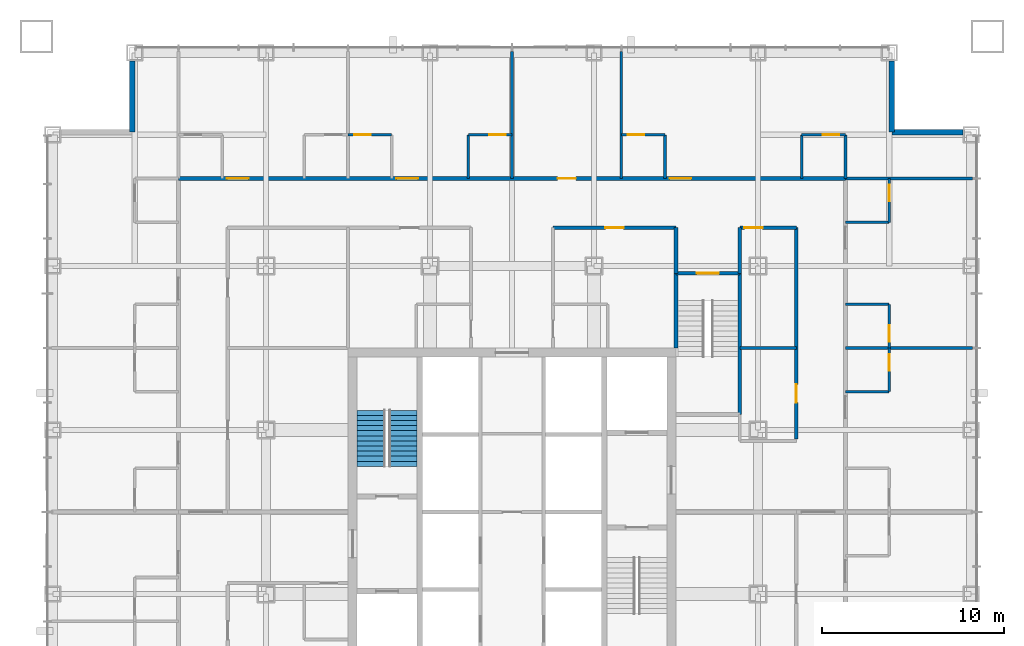
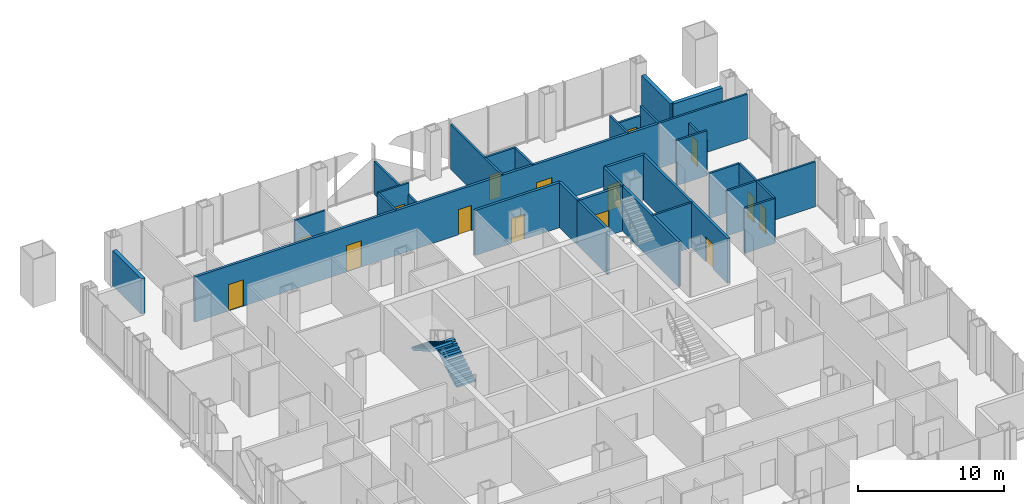
# One storey, part 11 of 13: 31 walls, 15 doors, 2 stair flights, 15 openings, 1 element without a shape of its own.
"""IFC4 building model written with IfcOpenShell, lengths in metres."""

from ifc_helpers import new_model, si_unit, direction, frame, frame_2d, origin, place, context, subcontext, project, spatial, polyline, rectangle, outline, extrude, material, layer, layer_set, type_object, element, fill, aggregate, save


model = new_model("IFC4")

# Units and contexts
model_context = context("Model", 3, precision=1e-05, world=origin(), true_north=direction((0.0, 1.0)))
body_context = subcontext(model_context, "Body", "Model", "MODEL_VIEW")
ifc_project = project(units=[si_unit("LENGTHUNIT", "METRE"), si_unit("AREAUNIT", "SQUARE_METRE"), si_unit("VOLUMEUNIT", "CUBIC_METRE"), si_unit("PLANEANGLEUNIT", "RADIAN"), si_unit("MASSUNIT", "GRAM", prefix="KILO")], contexts=[model_context])

# Site, building, storey
site_placement = place(None, origin())
site = spatial("IfcSite", under=ifc_project, at=site_placement, CompositionType="ELEMENT")
building_placement = place(site_placement, origin())
building = spatial("IfcBuilding", under=site, at=building_placement, Name="Malebo Sky Hospital", CompositionType="ELEMENT")
storey_placement = place(building_placement, frame((0.0, 0.0, 43.0)))
storey = spatial("IfcBuildingStorey", under=building, at=storey_placement, Name="L09", CompositionType="ELEMENT", Elevation=43.0)

# Wall, openings, doors
ifc_material_1 = material(Name="Gypsum board on steel studs", Category="steel")
ifc_layer_1 = layer(ifc_material_1, 0.199951171875)
ifc_layer_set_1 = layer_set([ifc_layer_1], Name="CORRIDOR WALL 200")
wall_type_1 = type_object("IfcWallType", Name="CORRIDOR WALL 200", PredefinedType="PARTITIONING", material=ifc_layer_set_1)
wall_1_placement = place(storey_placement, frame((41.699951171875, 80.300048828125, 0.0), z_axis=(0.0, 0.0, 1.0), x_axis=(1.0, 0.0, 0.0)))
wall_1 = element("IfcWall", 1, at=wall_1_placement, inside=storey, type_object=wall_type_1, Name="Corridor Wall 200 NCO", PredefinedType="PARTITIONING", context=body_context, shape_type="SweptSolid", body=[
    extrude(rectangle(XDim=36.60009765625, YDim=0.199951171875, at=frame_2d((18.300048828125, 0.0))), origin(), (0.0, 0.0, 1.0), 3.75),
])
opening_1_placement = place(wall_1_placement, frame((2.64990234375, 0.0, 0.0)))
opening_1 = element("IfcOpeningElement", 2, at=opening_1_placement, cuts=wall_1, Name="Opening D01", PredefinedType="OPENING", context=body_context, shape_type="SweptSolid", body=[
    extrude(rectangle(XDim=1.199951171875, YDim=2.199951171875, at=frame_2d((0.60009765625, 1.10009765625))), frame((0.0, 0.10986328125, 0.0), z_axis=(0.0, -1.0, 0.0), x_axis=(1.0, 0.0, 0.0)), (0.0, 0.0, 1.0), 0.219970703125),
])
opening_2_placement = place(wall_1_placement, frame((11.949951171875, 0.0, 0.0)))
opening_2 = element("IfcOpeningElement", 3, at=opening_2_placement, cuts=wall_1, Name="Opening D01", PredefinedType="OPENING", context=body_context, shape_type="SweptSolid", body=[
    extrude(rectangle(XDim=1.199951171875, YDim=2.199951171875, at=frame_2d((0.60009765625, 1.10009765625))), frame((0.0, 0.10986328125, 0.0), z_axis=(0.0, -1.0, 0.0), x_axis=(1.0, 0.0, 0.0)), (0.0, 0.0, 1.0), 0.219970703125),
])
opening_3_placement = place(wall_1_placement, frame((20.800048828125, 0.0, 0.0)))
opening_3 = element("IfcOpeningElement", 4, at=opening_3_placement, cuts=wall_1, Name="Opening D03", PredefinedType="OPENING", context=body_context, shape_type="SweptSolid", body=[
    extrude(rectangle(XDim=1.0, YDim=2.10009765625, at=frame_2d((0.5, 1.050048828125))), frame((0.0, 0.10986328125, 0.0), z_axis=(0.0, -1.0, 0.0), x_axis=(1.0, 0.0, 0.0)), (0.0, 0.0, 1.0), 0.219970703125),
])
opening_4_placement = place(wall_1_placement, frame((26.949951171875, 0.0, 0.0)))
opening_4 = element("IfcOpeningElement", 5, at=opening_4_placement, cuts=wall_1, Name="Opening D01", PredefinedType="OPENING", context=body_context, shape_type="SweptSolid", body=[
    extrude(rectangle(XDim=1.199951171875, YDim=2.199951171875, at=frame_2d((0.60009765625, 1.10009765625))), frame((0.0, 0.10986328125, 0.0), z_axis=(0.0, -1.0, 0.0), x_axis=(1.0, 0.0, 0.0)), (0.0, 0.0, 1.0), 0.219970703125),
])
ifc_material_2 = material(Name="Hardwood-faced door leaf in steel frame", Category="steel")
door_type_1 = type_object("IfcDoorType", Name="BED DOOR 1200", OperationType="SINGLE_SWING_LEFT", PredefinedType="DOOR", material=ifc_material_2)
door_1_placement = place(opening_1_placement, origin())
door_1 = element("IfcDoor", 6, at=door_1_placement, inside=storey, type_object=door_type_1, Name="Four-bed bay door", OperationType="SINGLE_SWING_LEFT", OverallHeight=2.199951171875, OverallWidth=1.199951171875, PredefinedType="DOOR", context=body_context, shape_type="SweptSolid", body=[
    extrude(rectangle(XDim=1.199951171875, YDim=2.199951171875, at=frame_2d((0.60009765625, 1.10009765625))), frame((0.0, 0.02490234375, 0.0), z_axis=(0.0, -1.0, 0.0), x_axis=(1.0, 0.0, 0.0)), (0.0, 0.0, 1.0), 0.050048828125),
])
fill(opening_1, door_1)
door_2_placement = place(opening_2_placement, origin())
door_2 = element("IfcDoor", 7, at=door_2_placement, inside=storey, type_object=door_type_1, Name="Four-bed bay door", OperationType="SINGLE_SWING_LEFT", OverallHeight=2.199951171875, OverallWidth=1.199951171875, PredefinedType="DOOR", context=body_context, shape_type="SweptSolid", body=[
    extrude(rectangle(XDim=1.199951171875, YDim=2.199951171875, at=frame_2d((0.60009765625, 1.10009765625))), frame((0.0, 0.02490234375, 0.0), z_axis=(0.0, -1.0, 0.0), x_axis=(1.0, 0.0, 0.0)), (0.0, 0.0, 1.0), 0.050048828125),
])
fill(opening_2, door_2)
door_3_placement = place(opening_4_placement, origin())
door_3 = element("IfcDoor", 8, at=door_3_placement, inside=storey, type_object=door_type_1, Name="Four-bed bay door", OperationType="SINGLE_SWING_LEFT", OverallHeight=2.199951171875, OverallWidth=1.199951171875, PredefinedType="DOOR", context=body_context, shape_type="SweptSolid", body=[
    extrude(rectangle(XDim=1.199951171875, YDim=2.199951171875, at=frame_2d((0.60009765625, 1.10009765625))), frame((0.0, 0.02490234375, 0.0), z_axis=(0.0, -1.0, 0.0), x_axis=(1.0, 0.0, 0.0)), (0.0, 0.0, 1.0), 0.050048828125),
])
fill(opening_4, door_3)
door_type_2 = type_object("IfcDoorType", Name="ROOM DOOR 1000", OperationType="SINGLE_SWING_LEFT", PredefinedType="DOOR", material=ifc_material_2)
door_4_placement = place(opening_3_placement, origin())
door_4 = element("IfcDoor", 9, at=door_4_placement, inside=storey, type_object=door_type_2, Name="Patient day room door", OperationType="SINGLE_SWING_LEFT", OverallHeight=2.10009765625, OverallWidth=1.0, PredefinedType="DOOR", context=body_context, shape_type="SweptSolid", body=[
    extrude(rectangle(XDim=1.0, YDim=2.10009765625, at=frame_2d((0.5, 1.050048828125))), frame((0.0, 0.02490234375, 0.0), z_axis=(0.0, -1.0, 0.0), x_axis=(1.0, 0.0, 0.0)), (0.0, 0.0, 1.0), 0.050048828125),
])
fill(opening_3, door_4)

# Wall, opening, door
wall_2_placement = place(storey_placement, frame((62.25, 77.60009765625, 0.0), z_axis=(0.0, 0.0, 1.0), x_axis=(1.0, 0.0, 0.0)))
wall_2 = element("IfcWall", 10, at=wall_2_placement, inside=storey, type_object=wall_type_1, Name="Corridor Wall 200 NCI2", PredefinedType="PARTITIONING", context=body_context, shape_type="SweptSolid", body=[
    extrude(rectangle(XDim=6.75, YDim=0.199951171875, at=frame_2d((3.375, 0.0))), origin(), (0.0, 0.0, 1.0), 3.75),
])
opening_5_placement = place(wall_2_placement, frame((2.875, 0.0, 0.0)))
opening_5 = element("IfcOpeningElement", 11, at=opening_5_placement, cuts=wall_2, Name="Opening D03", PredefinedType="OPENING", context=body_context, shape_type="SweptSolid", body=[
    extrude(rectangle(XDim=1.0, YDim=2.10009765625, at=frame_2d((0.5, 1.050048828125))), frame((0.0, 0.10986328125, 0.0), z_axis=(0.0, -1.0, 0.0), x_axis=(1.0, 0.0, 0.0)), (0.0, 0.0, 1.0), 0.219970703125),
])
door_5_placement = place(opening_5_placement, origin())
door_5 = element("IfcDoor", 12, at=door_5_placement, inside=storey, type_object=door_type_2, Name="Equipment store door", OperationType="SINGLE_SWING_RIGHT", OverallHeight=2.10009765625, OverallWidth=1.0, PredefinedType="DOOR", context=body_context, shape_type="SweptSolid", body=[
    extrude(rectangle(XDim=1.0, YDim=2.10009765625, at=frame_2d((0.5, 1.050048828125))), frame((0.0, 0.02490234375, 0.0), z_axis=(0.0, -1.0, 0.0), x_axis=(1.0, 0.0, 0.0)), (0.0, 0.0, 1.0), 0.050048828125),
])
fill(opening_5, door_5)

wall_3_placement = place(storey_placement, frame((72.5, 77.60009765625, 0.0), z_axis=(0.0, 0.0, 1.0), x_axis=(1.0, 0.0, 0.0)))
wall_3 = element("IfcWall", 13, at=wall_3_placement, inside=storey, type_object=wall_type_1, Name="Corridor Wall 200 NCI2/2", PredefinedType="PARTITIONING", context=body_context, shape_type="SweptSolid", body=[
    extrude(rectangle(XDim=3.10009765625, YDim=0.199951171875, at=frame_2d((1.550048828125, 0.0))), origin(), (0.0, 0.0, 1.0), 3.75),
])
opening_6_placement = place(wall_3_placement, frame((0.25, 0.0, 0.0)))
opening_6 = element("IfcOpeningElement", 14, at=opening_6_placement, cuts=wall_3, Name="Opening D03", PredefinedType="OPENING", context=body_context, shape_type="SweptSolid", body=[
    extrude(rectangle(XDim=1.0, YDim=2.10009765625, at=frame_2d((0.5, 1.050048828125))), frame((0.0, 0.10986328125, 0.0), z_axis=(0.0, -1.0, 0.0), x_axis=(1.0, 0.0, 0.0)), (0.0, 0.0, 1.0), 0.219970703125),
])
door_6_placement = place(opening_6_placement, origin())
door_6 = element("IfcDoor", 15, at=door_6_placement, inside=storey, type_object=door_type_2, Name="Interview room door", OperationType="SINGLE_SWING_LEFT", OverallHeight=2.10009765625, OverallWidth=1.0, PredefinedType="DOOR", context=body_context, shape_type="SweptSolid", body=[
    extrude(rectangle(XDim=1.0, YDim=2.10009765625, at=frame_2d((0.5, 1.050048828125))), frame((0.0, 0.02490234375, 0.0), z_axis=(0.0, -1.0, 0.0), x_axis=(1.0, 0.0, 0.0)), (0.0, 0.0, 1.0), 0.050048828125),
])
fill(opening_6, door_6)

wall_4_placement = place(storey_placement, frame((75.60009765625, 77.60009765625, 0.0), z_axis=(0.0, 0.0, 1.0), x_axis=(0.0, -1.0, 0.0)))
wall_4 = element("IfcWall", 16, at=wall_4_placement, inside=storey, type_object=wall_type_1, Name="Corridor Wall 200 ECI1", PredefinedType="PARTITIONING", context=body_context, shape_type="SweptSolid", body=[
    extrude(rectangle(XDim=11.60009765625, YDim=0.199951171875, at=frame_2d((5.800048828125, 0.0))), origin(), (0.0, 0.0, 1.0), 3.75),
])
opening_7_placement = place(wall_4_placement, frame((8.60009765625, 0.0, 0.0)))
opening_7 = element("IfcOpeningElement", 17, at=opening_7_placement, cuts=wall_4, Name="Opening D03", PredefinedType="OPENING", context=body_context, shape_type="SweptSolid", body=[
    extrude(rectangle(XDim=1.0, YDim=2.10009765625, at=frame_2d((0.5, 1.050048828125))), frame((0.0, 0.10986328125, 0.0), z_axis=(0.0, -1.0, 0.0), x_axis=(1.0, 0.0, 0.0)), (0.0, 0.0, 1.0), 0.219970703125),
])
door_7_placement = place(opening_7_placement, origin())
door_7 = element("IfcDoor", 18, at=door_7_placement, inside=storey, type_object=door_type_2, Name="Medication room door", OperationType="SINGLE_SWING_LEFT", OverallHeight=2.10009765625, OverallWidth=1.0, PredefinedType="DOOR", context=body_context, shape_type="SweptSolid", body=[
    extrude(rectangle(XDim=1.0, YDim=2.10009765625, at=frame_2d((0.5, 1.050048828125))), frame((0.0, 0.02490234375, 0.0), z_axis=(0.0, -1.0, 0.0), x_axis=(1.0, 0.0, 0.0)), (0.0, 0.0, 1.0), 0.050048828125),
])
fill(opening_7, door_7)

# Walls
for number, where, z_axis, x_axis, name in (
    (19, (69.0, 75.10009765625, 0.0), (0.0, 0.0, 1.0), (0.0, 1.0, 0.0), "Corridor Wall 200 ST3AW"),
    (20, (72.5, 75.10009765625, 0.0), (0.0, 0.0, 1.0), (0.0, 1.0, 0.0), "Corridor Wall 200 ST3AE"),
):
    element("IfcWall", number, at=place(storey_placement, frame(where, z_axis=z_axis, x_axis=x_axis)), inside=storey, type_object=wall_type_1, Name=name, PredefinedType="PARTITIONING", context=body_context, shape_type="SweptSolid", body=[
        extrude(rectangle(XDim=2.5, YDim=0.199951171875, at=frame_2d((1.25, 0.0))), origin(), (0.0, 0.0, 1.0), 3.75),
    ])
ifc_material_3 = material(Name="Anodised aluminium rainscreen on steel framing", Category="steel")
ifc_layer_2 = layer(ifc_material_3, 0.300048828125)
ifc_layer_set_2 = layer_set([ifc_layer_2], Name="NOTCH RAINSCREEN WALL 300")
wall_type_2 = type_object("IfcWallType", Name="NOTCH RAINSCREEN WALL 300", PredefinedType="ELEMENTEDWALL", material=ifc_layer_set_2)
for number, where, z_axis, x_axis, name in (
    (21, (80.85009765625, 86.75, 0.0), (0.0, 0.0, 1.0), (0.0, -1.0, 0.0), "Notch rainscreen wall N1 L09"),
    (22, (80.85009765625, 82.85009765625, 0.0), (0.0, 0.0, 1.0), (1.0, 0.0, 0.0), "Notch rainscreen wall N2 L09"),
    (23, (39.14990234375, 82.85009765625, 0.0), (0.0, 0.0, 1.0), (0.0, 1.0, 0.0), "Notch rainscreen wall W2 L09"),
):
    element("IfcWall", number, at=place(storey_placement, frame(where, z_axis=z_axis, x_axis=x_axis)), inside=storey, type_object=wall_type_2, Name=name, PredefinedType="ELEMENTEDWALL", context=body_context, shape_type="SweptSolid", body=[
        extrude(rectangle(XDim=3.89990234375, YDim=0.300048828125, at=frame_2d((1.949951171875, 0.0))), origin(), (0.0, 0.0, 1.0), 2.949951171875),
    ])
ifc_layer_3 = layer(ifc_material_1, 0.14990234375)
ifc_layer_set_3 = layer_set([ifc_layer_3], Name="PARTITION 150")
wall_type_3 = type_object("IfcWallType", Name="PARTITION 150", PredefinedType="PARTITIONING", material=ifc_layer_set_3)
wall_5_placement = place(storey_placement, frame((60.0, 80.300048828125, 0.0), z_axis=(0.0, 0.0, 1.0), x_axis=(0.0, 1.0, 0.0)))
element("IfcWall", 24, at=wall_5_placement, inside=storey, type_object=wall_type_3, Name="Partition 150 NP+0.0", PredefinedType="PARTITIONING", context=body_context, shape_type="SweptSolid", body=[
    extrude(rectangle(XDim=6.974853515625, YDim=0.14990234375, at=frame_2d((3.4873046875, 0.0))), origin(), (0.0, 0.0, 1.0), 2.75),
])
wall_6_placement = place(storey_placement, frame((66.0, 80.300048828125, 0.0), z_axis=(0.0, 0.0, 1.0), x_axis=(0.0, 1.0, 0.0)))
element("IfcWall", 25, at=wall_6_placement, inside=storey, type_object=wall_type_3, Name="Partition 150 NP+6.0", PredefinedType="PARTITIONING", context=body_context, shape_type="SweptSolid", body=[
    extrude(rectangle(XDim=6.974853515625, YDim=0.14990234375, at=frame_2d((3.4873046875, 0.0))), origin(), (0.0, 0.0, 1.0), 3.75),
])

# Wall, opening, door
wall_7_placement = place(storey_placement, frame((51.0, 82.699951171875, 0.0), z_axis=(0.0, 0.0, 1.0), x_axis=(1.0, 0.0, 0.0)))
wall_7 = element("IfcWall", 26, at=wall_7_placement, inside=storey, type_object=wall_type_3, Name="Partition 150 NE1F", PredefinedType="PARTITIONING", context=body_context, shape_type="SweptSolid", body=[
    extrude(rectangle(XDim=2.39990234375, YDim=0.14990234375, at=frame_2d((1.199951171875, 0.0))), origin(), (0.0, 0.0, 1.0), 3.75),
])
opening_8_placement = place(wall_7_placement, frame((0.35009765625, 0.0, 0.0)))
opening_8 = element("IfcOpeningElement", 27, at=opening_8_placement, cuts=wall_7, Name="Opening D02", PredefinedType="OPENING", context=body_context, shape_type="SweptSolid", body=[
    extrude(rectangle(XDim=0.89990234375, YDim=2.10009765625, at=frame_2d((0.449951171875, 1.050048828125))), frame((0.0, 0.0849609375, 0.0), z_axis=(0.0, -1.0, 0.0), x_axis=(1.0, 0.0, 0.0)), (0.0, 0.0, 1.0), 0.169921875),
])
door_type_3 = type_object("IfcDoorType", Name="EN-SUITE DOOR 900", OperationType="SINGLE_SWING_LEFT", PredefinedType="DOOR", material=ifc_material_2)
door_8_placement = place(opening_8_placement, origin())
door_8 = element("IfcDoor", 28, at=door_8_placement, inside=storey, type_object=door_type_3, Name="En-suite door", OperationType="SINGLE_SWING_LEFT", OverallHeight=2.10009765625, OverallWidth=0.89990234375, PredefinedType="DOOR", context=body_context, shape_type="SweptSolid", body=[
    extrude(rectangle(XDim=0.89990234375, YDim=2.10009765625, at=frame_2d((0.449951171875, 1.050048828125))), frame((0.0, 0.02490234375, 0.0), z_axis=(0.0, -1.0, 0.0), x_axis=(1.0, 0.0, 0.0)), (0.0, 0.0, 1.0), 0.050048828125),
])
fill(opening_8, door_8)

wall_8_placement = place(storey_placement, frame((57.60009765625, 82.699951171875, 0.0), z_axis=(0.0, 0.0, 1.0), x_axis=(1.0, 0.0, 0.0)))
wall_8 = element("IfcWall", 29, at=wall_8_placement, inside=storey, type_object=wall_type_3, Name="Partition 150 NG1F", PredefinedType="PARTITIONING", context=body_context, shape_type="SweptSolid", body=[
    extrude(rectangle(XDim=2.39990234375, YDim=0.14990234375, at=frame_2d((1.199951171875, 0.0))), origin(), (0.0, 0.0, 1.0), 3.75),
])
opening_9_placement = place(wall_8_placement, frame((1.14990234375, 0.0, 0.0)))
opening_9 = element("IfcOpeningElement", 30, at=opening_9_placement, cuts=wall_8, Name="Opening D02", PredefinedType="OPENING", context=body_context, shape_type="SweptSolid", body=[
    extrude(rectangle(XDim=0.89990234375, YDim=2.10009765625, at=frame_2d((0.449951171875, 1.050048828125))), frame((0.0, 0.0849609375, 0.0), z_axis=(0.0, -1.0, 0.0), x_axis=(1.0, 0.0, 0.0)), (0.0, 0.0, 1.0), 0.169921875),
])
door_9_placement = place(opening_9_placement, origin())
door_9 = element("IfcDoor", 31, at=door_9_placement, inside=storey, type_object=door_type_3, Name="En-suite door", OperationType="SINGLE_SWING_RIGHT", OverallHeight=2.10009765625, OverallWidth=0.89990234375, PredefinedType="DOOR", context=body_context, shape_type="SweptSolid", body=[
    extrude(rectangle(XDim=0.89990234375, YDim=2.10009765625, at=frame_2d((0.449951171875, 1.050048828125))), frame((0.0, 0.02490234375, 0.0), z_axis=(0.0, -1.0, 0.0), x_axis=(1.0, 0.0, 0.0)), (0.0, 0.0, 1.0), 0.050048828125),
])
fill(opening_9, door_9)

# Wall
wall_9_placement = place(storey_placement, frame((57.60009765625, 80.300048828125, 0.0), z_axis=(0.0, 0.0, 1.0), x_axis=(0.0, 1.0, 0.0)))
element("IfcWall", 32, at=wall_9_placement, inside=storey, type_object=wall_type_3, Name="Partition 150 NG1S", PredefinedType="PARTITIONING", context=body_context, shape_type="SweptSolid", body=[
    extrude(rectangle(XDim=2.39990234375, YDim=0.14990234375, at=frame_2d((1.199951171875, 0.0))), origin(), (0.0, 0.0, 1.0), 3.75),
])

# Wall, opening, door
wall_10_placement = place(storey_placement, frame((66.0, 82.699951171875, 0.0), z_axis=(0.0, 0.0, 1.0), x_axis=(1.0, 0.0, 0.0)))
wall_10 = element("IfcWall", 33, at=wall_10_placement, inside=storey, type_object=wall_type_3, Name="Partition 150 NE3F", PredefinedType="PARTITIONING", context=body_context, shape_type="SweptSolid", body=[
    extrude(rectangle(XDim=2.39990234375, YDim=0.14990234375, at=frame_2d((1.199951171875, 0.0))), origin(), (0.0, 0.0, 1.0), 3.75),
])
opening_10_placement = place(wall_10_placement, frame((0.35009765625, 0.0, 0.0)))
opening_10 = element("IfcOpeningElement", 34, at=opening_10_placement, cuts=wall_10, Name="Opening D02", PredefinedType="OPENING", context=body_context, shape_type="SweptSolid", body=[
    extrude(rectangle(XDim=0.89990234375, YDim=2.10009765625, at=frame_2d((0.449951171875, 1.050048828125))), frame((0.0, 0.0849609375, 0.0), z_axis=(0.0, -1.0, 0.0), x_axis=(1.0, 0.0, 0.0)), (0.0, 0.0, 1.0), 0.169921875),
])
door_10_placement = place(opening_10_placement, origin())
door_10 = element("IfcDoor", 35, at=door_10_placement, inside=storey, type_object=door_type_3, Name="En-suite door", OperationType="SINGLE_SWING_LEFT", OverallHeight=2.10009765625, OverallWidth=0.89990234375, PredefinedType="DOOR", context=body_context, shape_type="SweptSolid", body=[
    extrude(rectangle(XDim=0.89990234375, YDim=2.10009765625, at=frame_2d((0.449951171875, 1.050048828125))), frame((0.0, 0.02490234375, 0.0), z_axis=(0.0, -1.0, 0.0), x_axis=(1.0, 0.0, 0.0)), (0.0, 0.0, 1.0), 0.050048828125),
])
fill(opening_10, door_10)

# Wall
wall_11_placement = place(storey_placement, frame((68.39990234375, 80.300048828125, 0.0), z_axis=(0.0, 0.0, 1.0), x_axis=(0.0, 1.0, 0.0)))
element("IfcWall", 36, at=wall_11_placement, inside=storey, type_object=wall_type_3, Name="Partition 150 NE3S", PredefinedType="PARTITIONING", context=body_context, shape_type="SweptSolid", body=[
    extrude(rectangle(XDim=2.39990234375, YDim=0.14990234375, at=frame_2d((1.199951171875, 0.0))), origin(), (0.0, 0.0, 1.0), 3.75),
])

# Wall, opening, door
wall_12_placement = place(storey_placement, frame((75.89990234375, 82.699951171875, 0.0), z_axis=(0.0, 0.0, 1.0), x_axis=(1.0, 0.0, 0.0)))
wall_12 = element("IfcWall", 37, at=wall_12_placement, inside=storey, type_object=wall_type_3, Name="Partition 150 NG3F", PredefinedType="PARTITIONING", context=body_context, shape_type="SweptSolid", body=[
    extrude(rectangle(XDim=2.400146484375, YDim=0.14990234375, at=frame_2d((1.2001953125, 0.0))), origin(), (0.0, 0.0, 1.0), 2.949951171875),
])
opening_11_placement = place(wall_12_placement, frame((1.14990234375, 0.0, 0.0)))
opening_11 = element("IfcOpeningElement", 38, at=opening_11_placement, cuts=wall_12, Name="Opening D02", PredefinedType="OPENING", context=body_context, shape_type="SweptSolid", body=[
    extrude(rectangle(XDim=0.89990234375, YDim=2.10009765625, at=frame_2d((0.449951171875, 1.050048828125))), frame((0.0, 0.0849609375, 0.0), z_axis=(0.0, -1.0, 0.0), x_axis=(1.0, 0.0, 0.0)), (0.0, 0.0, 1.0), 0.169921875),
])
door_11_placement = place(opening_11_placement, origin())
door_11 = element("IfcDoor", 39, at=door_11_placement, inside=storey, type_object=door_type_3, Name="En-suite door", OperationType="SINGLE_SWING_RIGHT", OverallHeight=2.10009765625, OverallWidth=0.89990234375, PredefinedType="DOOR", context=body_context, shape_type="SweptSolid", body=[
    extrude(rectangle(XDim=0.89990234375, YDim=2.10009765625, at=frame_2d((0.449951171875, 1.050048828125))), frame((0.0, 0.02490234375, 0.0), z_axis=(0.0, -1.0, 0.0), x_axis=(1.0, 0.0, 0.0)), (0.0, 0.0, 1.0), 0.050048828125),
])
fill(opening_11, door_11)

# Walls
for number, where, z_axis, x_axis, name in (
    (40, (75.89990234375, 80.300048828125, 0.0), (0.0, 0.0, 1.0), (0.0, 1.0, 0.0), "Partition 150 NG3S"),
    (41, (78.300048828125, 80.300048828125, 0.0), (0.0, 0.0, 1.0), (0.0, 1.0, 0.0), "Partition 150 NEZ"),
):
    element("IfcWall", number, at=place(storey_placement, frame(where, z_axis=z_axis, x_axis=x_axis)), inside=storey, type_object=wall_type_3, Name=name, PredefinedType="PARTITIONING", context=body_context, shape_type="SweptSolid", body=[
        extrude(rectangle(XDim=2.39990234375, YDim=0.14990234375, at=frame_2d((1.199951171875, 0.0))), origin(), (0.0, 0.0, 1.0), 3.75),
    ])
for number, where, z_axis, x_axis, name in (
    (42, (78.300048828125, 71.0, 0.0), (0.0, 0.0, 1.0), (1.0, 0.0, 0.0), "Partition 150 EP-9.0"),
    (43, (78.300048828125, 80.300048828125, 0.0), (0.0, 0.0, 1.0), (1.0, 0.0, 0.0), "Partition 150 EP0"),
):
    element("IfcWall", number, at=place(storey_placement, frame(where, z_axis=z_axis, x_axis=x_axis)), inside=storey, type_object=wall_type_3, Name=name, PredefinedType="PARTITIONING", context=body_context, shape_type="SweptSolid", body=[
        extrude(rectangle(XDim=6.974853515625, YDim=0.14990234375, at=frame_2d((3.4873046875, 0.0))), origin(), (0.0, 0.0, 1.0), 3.75),
    ])

# Wall, opening, door
wall_13_placement = place(storey_placement, frame((80.699951171875, 80.300048828125, 0.0), z_axis=(0.0, 0.0, 1.0), x_axis=(0.0, -1.0, 0.0)))
wall_13 = element("IfcWall", 44, at=wall_13_placement, inside=storey, type_object=wall_type_3, Name="Partition 150 EE0F", PredefinedType="PARTITIONING", context=body_context, shape_type="SweptSolid", body=[
    extrude(rectangle(XDim=2.400146484375, YDim=0.14990234375, at=frame_2d((1.2001953125, 0.0))), origin(), (0.0, 0.0, 1.0), 2.949951171875),
])
opening_12_placement = place(wall_13_placement, frame((0.35009765625, 0.0, 0.0)))
opening_12 = element("IfcOpeningElement", 45, at=opening_12_placement, cuts=wall_13, Name="Opening D02", PredefinedType="OPENING", context=body_context, shape_type="SweptSolid", body=[
    extrude(rectangle(XDim=0.89990234375, YDim=2.10009765625, at=frame_2d((0.449951171875, 1.050048828125))), frame((0.0, 0.0849609375, 0.0), z_axis=(0.0, -1.0, 0.0), x_axis=(1.0, 0.0, 0.0)), (0.0, 0.0, 1.0), 0.169921875),
])
door_12_placement = place(opening_12_placement, origin())
door_12 = element("IfcDoor", 46, at=door_12_placement, inside=storey, type_object=door_type_3, Name="En-suite door", OperationType="SINGLE_SWING_LEFT", OverallHeight=2.10009765625, OverallWidth=0.89990234375, PredefinedType="DOOR", context=body_context, shape_type="SweptSolid", body=[
    extrude(rectangle(XDim=0.89990234375, YDim=2.10009765625, at=frame_2d((0.449951171875, 1.050048828125))), frame((0.0, 0.02490234375, 0.0), z_axis=(0.0, -1.0, 0.0), x_axis=(1.0, 0.0, 0.0)), (0.0, 0.0, 1.0), 0.050048828125),
])
fill(opening_12, door_12)

# Wall
wall_14_placement = place(storey_placement, frame((78.300048828125, 77.89990234375, 0.0), z_axis=(0.0, 0.0, 1.0), x_axis=(1.0, 0.0, 0.0)))
element("IfcWall", 47, at=wall_14_placement, inside=storey, type_object=wall_type_3, Name="Partition 150 EE0S", PredefinedType="PARTITIONING", context=body_context, shape_type="SweptSolid", body=[
    extrude(rectangle(XDim=2.39990234375, YDim=0.14990234375, at=frame_2d((1.199951171875, 0.0))), origin(), (0.0, 0.0, 1.0), 3.75),
])

# Wall, opening, door
wall_15_placement = place(storey_placement, frame((80.699951171875, 73.39990234375, 0.0), z_axis=(0.0, 0.0, 1.0), x_axis=(0.0, -1.0, 0.0)))
wall_15 = element("IfcWall", 48, at=wall_15_placement, inside=storey, type_object=wall_type_3, Name="Partition 150 EG0F", PredefinedType="PARTITIONING", context=body_context, shape_type="SweptSolid", body=[
    extrude(rectangle(XDim=2.39990234375, YDim=0.14990234375, at=frame_2d((1.199951171875, 0.0))), origin(), (0.0, 0.0, 1.0), 3.75),
])
opening_13_placement = place(wall_15_placement, frame((1.14990234375, 0.0, 0.0)))
opening_13 = element("IfcOpeningElement", 49, at=opening_13_placement, cuts=wall_15, Name="Opening D02", PredefinedType="OPENING", context=body_context, shape_type="SweptSolid", body=[
    extrude(rectangle(XDim=0.89990234375, YDim=2.10009765625, at=frame_2d((0.449951171875, 1.050048828125))), frame((0.0, 0.0849609375, 0.0), z_axis=(0.0, -1.0, 0.0), x_axis=(1.0, 0.0, 0.0)), (0.0, 0.0, 1.0), 0.169921875),
])
door_13_placement = place(opening_13_placement, origin())
door_13 = element("IfcDoor", 50, at=door_13_placement, inside=storey, type_object=door_type_3, Name="En-suite door", OperationType="SINGLE_SWING_RIGHT", OverallHeight=2.10009765625, OverallWidth=0.89990234375, PredefinedType="DOOR", context=body_context, shape_type="SweptSolid", body=[
    extrude(rectangle(XDim=0.89990234375, YDim=2.10009765625, at=frame_2d((0.449951171875, 1.050048828125))), frame((0.0, 0.02490234375, 0.0), z_axis=(0.0, -1.0, 0.0), x_axis=(1.0, 0.0, 0.0)), (0.0, 0.0, 1.0), 0.050048828125),
])
fill(opening_13, door_13)

# Wall
wall_16_placement = place(storey_placement, frame((78.300048828125, 73.39990234375, 0.0), z_axis=(0.0, 0.0, 1.0), x_axis=(1.0, 0.0, 0.0)))
element("IfcWall", 51, at=wall_16_placement, inside=storey, type_object=wall_type_3, Name="Partition 150 EG0S", PredefinedType="PARTITIONING", context=body_context, shape_type="SweptSolid", body=[
    extrude(rectangle(XDim=2.39990234375, YDim=0.14990234375, at=frame_2d((1.199951171875, 0.0))), origin(), (0.0, 0.0, 1.0), 3.75),
])

# Wall, opening, door
wall_17_placement = place(storey_placement, frame((80.699951171875, 71.0, 0.0), z_axis=(0.0, 0.0, 1.0), x_axis=(0.0, -1.0, 0.0)))
wall_17 = element("IfcWall", 52, at=wall_17_placement, inside=storey, type_object=wall_type_3, Name="Partition 150 EE1F", PredefinedType="PARTITIONING", context=body_context, shape_type="SweptSolid", body=[
    extrude(rectangle(XDim=2.39990234375, YDim=0.14990234375, at=frame_2d((1.199951171875, 0.0))), origin(), (0.0, 0.0, 1.0), 3.75),
])
opening_14_placement = place(wall_17_placement, frame((0.35009765625, 0.0, 0.0)))
opening_14 = element("IfcOpeningElement", 53, at=opening_14_placement, cuts=wall_17, Name="Opening D02", PredefinedType="OPENING", context=body_context, shape_type="SweptSolid", body=[
    extrude(rectangle(XDim=0.89990234375, YDim=2.10009765625, at=frame_2d((0.449951171875, 1.050048828125))), frame((0.0, 0.0849609375, 0.0), z_axis=(0.0, -1.0, 0.0), x_axis=(1.0, 0.0, 0.0)), (0.0, 0.0, 1.0), 0.169921875),
])
door_14_placement = place(opening_14_placement, origin())
door_14 = element("IfcDoor", 54, at=door_14_placement, inside=storey, type_object=door_type_3, Name="En-suite door", OperationType="SINGLE_SWING_LEFT", OverallHeight=2.10009765625, OverallWidth=0.89990234375, PredefinedType="DOOR", context=body_context, shape_type="SweptSolid", body=[
    extrude(rectangle(XDim=0.89990234375, YDim=2.10009765625, at=frame_2d((0.449951171875, 1.050048828125))), frame((0.0, 0.02490234375, 0.0), z_axis=(0.0, -1.0, 0.0), x_axis=(1.0, 0.0, 0.0)), (0.0, 0.0, 1.0), 0.050048828125),
])
fill(opening_14, door_14)

# Walls
wall_18_placement = place(storey_placement, frame((78.300048828125, 68.60009765625, 0.0), z_axis=(0.0, 0.0, 1.0), x_axis=(1.0, 0.0, 0.0)))
element("IfcWall", 55, at=wall_18_placement, inside=storey, type_object=wall_type_3, Name="Partition 150 EE1S", PredefinedType="PARTITIONING", context=body_context, shape_type="SweptSolid", body=[
    extrude(rectangle(XDim=2.39990234375, YDim=0.14990234375, at=frame_2d((1.199951171875, 0.0))), origin(), (0.0, 0.0, 1.0), 3.75),
])
wall_19_placement = place(storey_placement, frame((72.5, 71.0, 0.0), z_axis=(0.0, 0.0, 1.0), x_axis=(1.0, 0.0, 0.0)))
element("IfcWall", 56, at=wall_19_placement, inside=storey, type_object=wall_type_3, Name="Partition 150 ESP0", PredefinedType="PARTITIONING", context=body_context, shape_type="SweptSolid", body=[
    extrude(rectangle(XDim=3.10009765625, YDim=0.14990234375, at=frame_2d((1.550048828125, 0.0))), origin(), (0.0, 0.0, 1.0), 3.75),
])
ifc_material_4 = material(Name="Concrete C40/50", Category="concrete")
ifc_layer_4 = layer(ifc_material_4, 0.199951171875)
ifc_layer_set_4 = layer_set([ifc_layer_4], Name="STAIR ENCLOSURE WALL 200")
wall_type_4 = type_object("IfcWallType", Name="STAIR ENCLOSURE WALL 200", PredefinedType="SOLIDWALL", material=ifc_layer_set_4)
wall_20_placement = place(storey_placement, frame((69.0, 71.0, 0.0), z_axis=(0.0, 0.0, 1.0), x_axis=(0.0, 1.0, 0.0)))
element("IfcWall", 57, at=wall_20_placement, inside=storey, type_object=wall_type_4, Name="Stair Enclosure Wall 200 ST3W", PredefinedType="SOLIDWALL", context=body_context, shape_type="SweptSolid", body=[
    extrude(rectangle(XDim=4.10009765625, YDim=0.199951171875, at=frame_2d((2.050048828125, 0.0))), origin(), (0.0, 0.0, 1.0), 3.75),
])
wall_21_placement = place(storey_placement, frame((72.5, 67.35009765625, 0.0), z_axis=(0.0, 0.0, 1.0), x_axis=(0.0, 1.0, 0.0)))
element("IfcWall", 58, at=wall_21_placement, inside=storey, type_object=wall_type_4, Name="Stair Enclosure Wall 200 ST3E", PredefinedType="SOLIDWALL", context=body_context, shape_type="SweptSolid", body=[
    extrude(rectangle(XDim=7.75, YDim=0.199951171875, at=frame_2d((3.875, 0.0))), origin(), (0.0, 0.0, 1.0), 3.75),
])

# Wall, opening, door
wall_22_placement = place(storey_placement, frame((69.0, 75.10009765625, 0.0), z_axis=(0.0, 0.0, 1.0), x_axis=(1.0, 0.0, 0.0)))
wall_22 = element("IfcWall", 59, at=wall_22_placement, inside=storey, type_object=wall_type_4, Name="Stair Enclosure Wall 200 ST3N", PredefinedType="SOLIDWALL", context=body_context, shape_type="SweptSolid", body=[
    extrude(rectangle(XDim=3.5, YDim=0.199951171875, at=frame_2d((1.75, 0.0))), origin(), (0.0, 0.0, 1.0), 3.75),
])
opening_15_placement = place(wall_22_placement, frame((1.14990234375, 0.0, 0.0)))
opening_15 = element("IfcOpeningElement", 60, at=opening_15_placement, cuts=wall_22, Name="Opening D08", PredefinedType="OPENING", context=body_context, shape_type="SweptSolid", body=[
    extrude(rectangle(XDim=1.199951171875, YDim=2.10009765625, at=frame_2d((0.60009765625, 1.050048828125))), frame((0.0, 0.10986328125, 0.0), z_axis=(0.0, -1.0, 0.0), x_axis=(1.0, 0.0, 0.0)), (0.0, 0.0, 1.0), 0.219970703125),
])
door_type_4 = type_object("IfcDoorType", Name="STAIR DOOR 1200", OperationType="SINGLE_SWING_LEFT", PredefinedType="DOOR", material=ifc_material_2)
door_15_placement = place(opening_15_placement, origin())
door_15 = element("IfcDoor", 61, at=door_15_placement, inside=storey, type_object=door_type_4, Name="Stair S3 door", OperationType="SINGLE_SWING_LEFT", OverallHeight=2.10009765625, OverallWidth=1.199951171875, PredefinedType="DOOR", context=body_context, shape_type="SweptSolid", body=[
    extrude(rectangle(XDim=1.199951171875, YDim=2.10009765625, at=frame_2d((0.60009765625, 1.050048828125))), frame((0.0, 0.02490234375, 0.0), z_axis=(0.0, -1.0, 0.0), x_axis=(1.0, 0.0, 0.0)), (0.0, 0.0, 1.0), 0.050048828125),
])
fill(opening_15, door_15)

# Stair, stair flights
stair_type = type_object("IfcStairType", Name="HALF-TURN STAIR 1500 R167", PredefinedType="HALF_TURN_STAIR", material=ifc_material_4)
stair_placement = place(storey_placement, origin())
stair = element("IfcStair", 62, at=stair_placement, inside=storey, type_object=stair_type, Name="Stair S1 L09 type ST1", PredefinedType="HALF_TURN_STAIR")
stair_flight_type = type_object("IfcStairFlightType", Name="STAIR FLIGHT 1500 R167", PredefinedType="STRAIGHT", material=ifc_material_4)
stair_flight_1_placement = place(storey_placement, frame((54.050048828125, 64.5, 0.0), z_axis=(0.0, 0.0, 1.0), x_axis=(0.0, 1.0, 0.0)))
stair_flight_1 = element("IfcStairFlight", 63, at=stair_flight_1_placement, type_object=stair_flight_type, Name="S1 flight 1 type SF1", NumberOfRisers=12, NumberOfTreads=11, PredefinedType="STRAIGHT", RiserHeight=0.166666667, TreadLength=0.28, context=body_context, shape_type="SweptSolid", body=[
    extrude(outline(polyline([(0.0, 0.0), (0.0, 0.166748046875), (0.280029296875, 0.166748046875), (0.280029296875, 0.333251953125), (0.56005859375, 0.333251953125), (0.56005859375, 0.5), (0.840087890625, 0.5), (0.840087890625, 0.666748046875), (1.1201171875, 0.666748046875), (1.1201171875, 0.833251953125), (1.39990234375, 0.833251953125), (1.39990234375, 1.0), (1.679931640625, 1.0), (1.679931640625, 1.166748046875), (1.9599609375, 1.166748046875), (1.9599609375, 1.333251953125), (2.239990234375, 1.333251953125), (2.239990234375, 1.5), (2.52001953125, 1.5), (2.52001953125, 1.666748046875), (2.800048828125, 1.666748046875), (2.800048828125, 1.833251953125), (3.080078125, 1.833251953125), (3.080078125, 2.0), (3.080078125, 1.658935546875), (0.29296875, 0.0), (0.0, 0.0)])), frame((0.0, 0.75, 0.0), z_axis=(0.0, -1.0, 0.0), x_axis=(1.0, 0.0, 0.0)), (0.0, 0.0, 1.0), 1.5),
])
stair_flight_2_placement = place(storey_placement, frame((52.25, 67.580078125, 2.0), z_axis=(0.0, 0.0, 1.0), x_axis=(0.0, -1.0, 0.0)))
stair_flight_2 = element("IfcStairFlight", 64, at=stair_flight_2_placement, type_object=stair_flight_type, Name="S1 flight 2 type SF1", NumberOfRisers=12, NumberOfTreads=11, PredefinedType="STRAIGHT", RiserHeight=0.166666667, TreadLength=0.28, context=body_context, shape_type="SweptSolid", body=[
    extrude(outline(polyline([(0.0, 0.0), (0.0, 0.166748046875), (0.280029296875, 0.166748046875), (0.280029296875, 0.333251953125), (0.56005859375, 0.333251953125), (0.56005859375, 0.5), (0.840087890625, 0.5), (0.840087890625, 0.666748046875), (1.1201171875, 0.666748046875), (1.1201171875, 0.833251953125), (1.39990234375, 0.833251953125), (1.39990234375, 1.0), (1.679931640625, 1.0), (1.679931640625, 1.166748046875), (1.9599609375, 1.166748046875), (1.9599609375, 1.333251953125), (2.239990234375, 1.333251953125), (2.239990234375, 1.5), (2.52001953125, 1.5), (2.52001953125, 1.666748046875), (2.800048828125, 1.666748046875), (2.800048828125, 1.833251953125), (3.080078125, 1.833251953125), (3.080078125, 2.0), (3.080078125, 1.658935546875), (0.29296875, 0.0), (0.0, 0.0)])), frame((0.0, 0.75, 0.0), z_axis=(0.0, -1.0, 0.0), x_axis=(1.0, 0.0, 0.0)), (0.0, 0.0, 1.0), 1.5),
])
aggregate(stair, [stair_flight_1, stair_flight_2])

save(model, "model.ifc")
